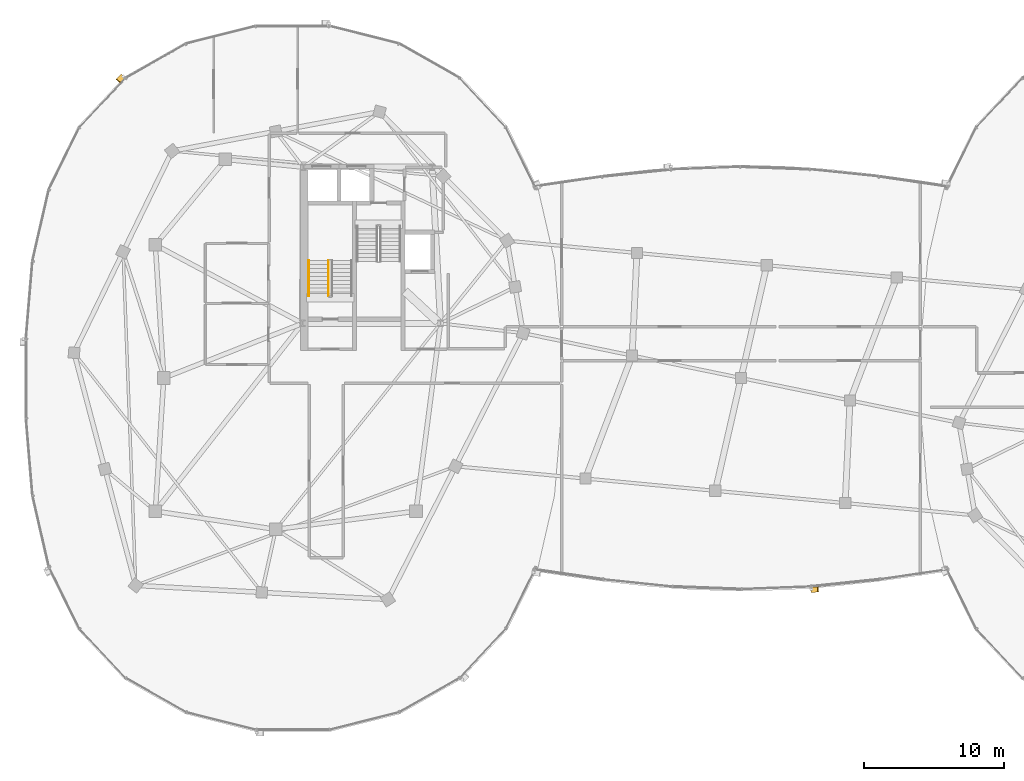
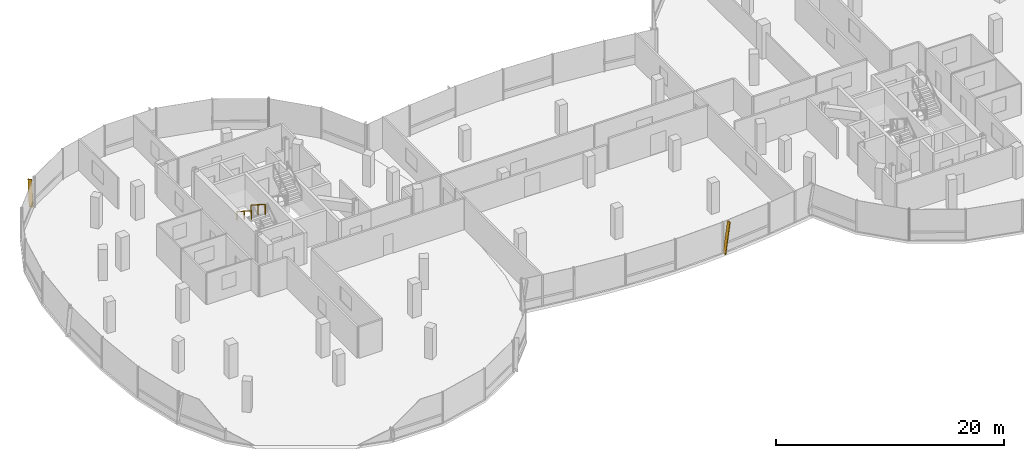
# One storey, part 22 of 25: 2 railings, 2 shading devices.
"""IFC4 building model written with IfcOpenShell, lengths in metres."""

from ifc_helpers import new_model, si_unit, direction, frame, origin, origin_2d, place, context, subcontext, project, spatial, rectangle, extrude, material, material_profile, profile_set, type_object, element, save


model = new_model("IFC4")

# Units and contexts
model_context = context("Model", 3, precision=1e-05, world=origin(), true_north=direction((0.0, 1.0)))
body_context = subcontext(model_context, "Body", "Model", "MODEL_VIEW")
ifc_project = project(units=[si_unit("LENGTHUNIT", "METRE"), si_unit("AREAUNIT", "SQUARE_METRE"), si_unit("VOLUMEUNIT", "CUBIC_METRE"), si_unit("PLANEANGLEUNIT", "RADIAN"), si_unit("MASSUNIT", "GRAM", prefix="KILO"), si_unit("THERMODYNAMICTEMPERATUREUNIT", "KELVIN"), si_unit("POWERUNIT", "WATT")], contexts=[model_context])

# Site, building, storey
site_placement = place(None, origin())
site = spatial("IfcSite", under=ifc_project, at=site_placement, CompositionType="ELEMENT")
building_placement = place(site_placement, origin())
building = spatial("IfcBuilding", under=site, at=building_placement, Name="Cundina Bronze Exchange", CompositionType="ELEMENT")
storey_placement = place(building_placement, frame((0.0, 0.0, 272.0)))
storey = spatial("IfcBuildingStorey", under=building, at=storey_placement, Name="L72", CompositionType="ELEMENT", Elevation=272.0)

# Railings
ifc_material_1 = material(Name="Steel ASTM A36 Painted", Category="steel")
railing_type_1 = type_object("IfcRailingType", Name="RLG-HND-900", PredefinedType="HANDRAIL", material=ifc_material_1)
railing_1_placement = place(storey_placement, frame((-30.85009765625, 8.3701171875, 1.97998046875)))
element("IfcRailing", 1, at=railing_1_placement, inside=storey, type_object=railing_type_1, Name="L72 ST-W1 stair handrail 2", PredefinedType="HANDRAIL", context=body_context, shape_type="SweptSolid", body=[
    extrude(rectangle(XDim=0.048095703125, YDim=0.048095703125, at=origin_2d()), frame((0.0, 0.0, 0.8759765625), z_axis=(0.0, -0.841162588446, 0.540782303519), x_axis=(1.0, 0.0, 0.0)), (0.0, 0.0, 1.0), 2.995849609375),
    extrude(rectangle(XDim=0.0419921875, YDim=0.0419921875, at=origin_2d()), origin(), (0.0, 0.0, 1.0), 0.851806640625),
    extrude(rectangle(XDim=0.0419921875, YDim=0.0419921875, at=origin_2d()), frame((0.0, -1.260009765625, 0.81005859375)), (0.0, 0.0, 1.0), 0.851806640625),
    extrude(rectangle(XDim=0.0419921875, YDim=0.0419921875, at=origin_2d()), frame((0.0, -2.52001953125, 1.6201171875)), (0.0, 0.0, 1.0), 0.851806640625),
])
railing_type_2 = type_object("IfcRailingType", Name="RLG-STG-1100", PredefinedType="GUARDRAIL", material=ifc_material_1)
railing_2_placement = place(storey_placement, frame((-29.449951171875, 8.3701171875, 1.97998046875)))
element("IfcRailing", 2, at=railing_2_placement, inside=storey, type_object=railing_type_2, Name="L72 ST-W1 stair guard 3", PredefinedType="GUARDRAIL", context=body_context, shape_type="SweptSolid", body=[
    extrude(rectangle(XDim=0.048095703125, YDim=0.048095703125, at=origin_2d()), frame((0.0, 0.0, 1.076171875), z_axis=(0.0, -0.841162588446, 0.540782303519), x_axis=(1.0, 0.0, 0.0)), (0.0, 0.0, 1.0), 2.995849609375),
    extrude(rectangle(XDim=0.0419921875, YDim=0.0419921875, at=origin_2d()), origin(), (0.0, 0.0, 1.0), 1.052001953125),
    extrude(rectangle(XDim=0.0419921875, YDim=0.0419921875, at=origin_2d()), frame((0.0, -1.260009765625, 0.81005859375)), (0.0, 0.0, 1.0), 1.052001953125),
    extrude(rectangle(XDim=0.0419921875, YDim=0.0419921875, at=origin_2d()), frame((0.0, -2.52001953125, 1.6201171875)), (0.0, 0.0, 1.0), 1.052001953125),
])

# Shading devices
ifc_material_2 = material(Name="Anodised Bronze Aluminium 6063-T6", Category="aluminium")
ifc_material_profile = material_profile(ifc_material_2, rectangle(XDim=0.070068359375, YDim=0.3798828125, at=origin_2d()), Name="FIN70X380", Category="aluminium")
ifc_profile_set = profile_set([ifc_material_profile], Name="Anodised Bronze Aluminium 6063-T6")
shading_device_type = type_object("IfcShadingDeviceType", Name="SHD-FIN-BRZ380", PredefinedType="USERDEFINED", material=ifc_profile_set)
shading_device_1_placement = place(storey_placement, frame((-44.122314453125, 21.55078125, 0.02001953125), z_axis=(-0.098541444371, -0.10491076507, 0.989587446926), x_axis=(0.677505727677, 0.721296959704, 0.143932918008)))
element("IfcShadingDevice", 3, at=shading_device_1_placement, inside=storey, type_object=shading_device_type, Name="L72 Diagonal Bronze Solar Fin 1", ObjectType="FIN", PredefinedType="USERDEFINED", context=body_context, shape_type="SweptSolid", body=[
    extrude(rectangle(XDim=0.070068359375, YDim=0.3798828125, at=origin_2d()), origin(), (0.0, 0.0, 1.0), 3.334716796875),
])
shading_device_2_placement = place(storey_placement, frame((5.0146484375, -15.12890625, 0.02001953125), z_axis=(0.143554002446, 0.014832689767, 0.989531323252), x_axis=(-0.984291118391, -0.101701691005, 0.144318260466)))
element("IfcShadingDevice", 4, at=shading_device_2_placement, inside=storey, type_object=shading_device_type, Name="L72 Diagonal Bronze Solar Fin 5", ObjectType="FIN", PredefinedType="USERDEFINED", context=body_context, shape_type="SweptSolid", body=[
    extrude(rectangle(XDim=0.070068359375, YDim=0.3798828125, at=origin_2d()), origin(), (0.0, 0.0, 1.0), 3.324951171875),
])

save(model, "model.ifc")
